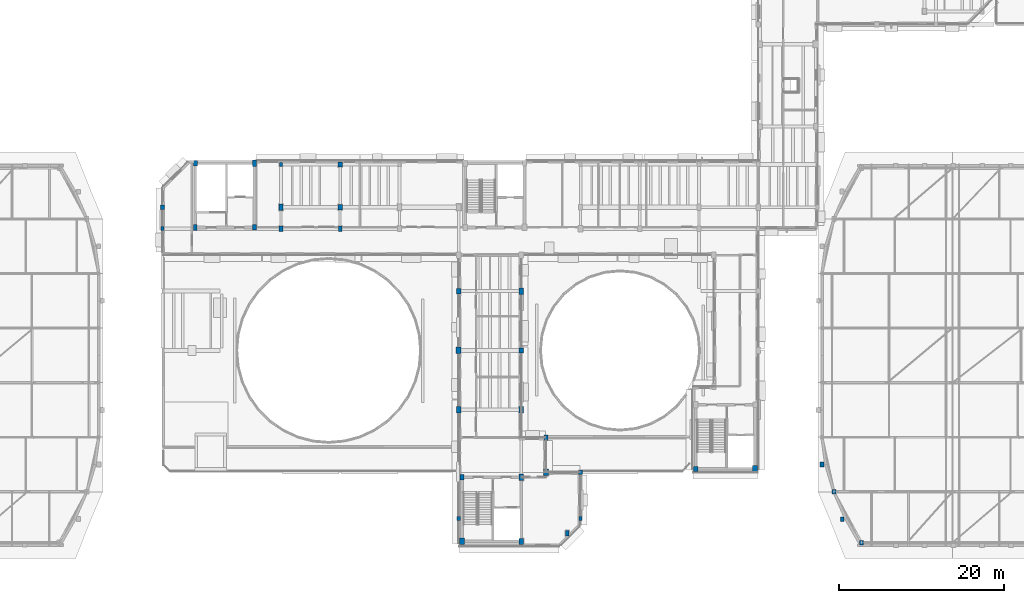
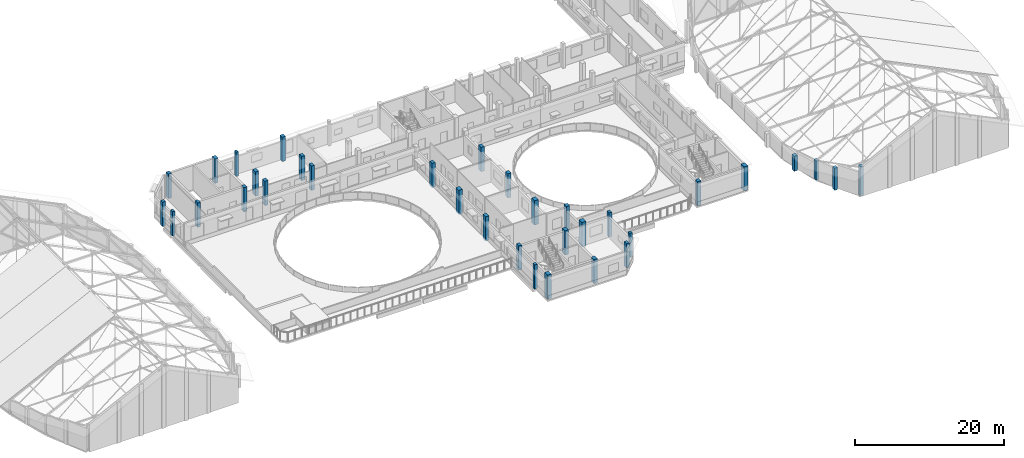
# One storey, part 6 of 78: 34 columns.
"""IFC4 building model written with IfcOpenShell, lengths in metres."""

from ifc_helpers import new_model, si_unit, direction, frame, origin, origin_2d, place, context, subcontext, project, spatial, rectangle, extrude, material, material_profile, profile_set, type_object, element, save


model = new_model("IFC4")

# Units and contexts
model_context = context("Model", 3, precision=1e-05, world=origin(), true_north=direction((0.0, 1.0)))
body_context = subcontext(model_context, "Body", "Model", "MODEL_VIEW")
ifc_project = project(units=[si_unit("LENGTHUNIT", "METRE"), si_unit("AREAUNIT", "SQUARE_METRE"), si_unit("VOLUMEUNIT", "CUBIC_METRE"), si_unit("PLANEANGLEUNIT", "RADIAN"), si_unit("MASSUNIT", "GRAM", prefix="KILO")], contexts=[model_context])

# Site, building, storey
site_placement = place(None, origin())
site = spatial("IfcSite", under=ifc_project, at=site_placement, CompositionType="ELEMENT")
building_placement = place(site_placement, origin())
building = spatial("IfcBuilding", under=site, at=building_placement, Name="Kelanivale Promenade Academy", CompositionType="ELEMENT")
storey_placement = place(building_placement, frame((0.0, 0.0, 16.199951171875)))
storey = spatial("IfcBuildingStorey", under=building, at=storey_placement, Name="L04", CompositionType="ELEMENT", Elevation=16.199951171875)

# Columns
ifc_material = material(Name="Concrete C40/50", Category="concrete")
ifc_material_profile_1 = material_profile(ifc_material, rectangle(XDim=0.449951171875, YDim=0.699951171875, at=origin_2d()), Name="RC-COL 450x700")
ifc_profile_set_1 = profile_set([ifc_material_profile_1], Name="Concrete C40/50")
column_type_1 = type_object("IfcColumnType", Name="C-10 RC-COL 450x700", PredefinedType="COLUMN", material=ifc_profile_set_1)
for number, where, z_axis, x_axis, name in (
    (1, (47.199951171875, 71.75, 0.0), (0.0, 0.0, 1.0), (1.0, 0.0, 0.0), "Column C-10 at (47.2, 71.8) L04"),
    (2, (64.800048828125, 71.60009765625, 0.0), (0.0, 0.0, 1.0), (1.0, 0.0, 0.0), "Column C-10 at (64.8, 71.6) L04"),
    (3, (92.39990234375, 34.60009765625, 0.0), (0.0, 0.0, 1.0), (1.0, 0.0, 0.0), "Column C-10 at (92.4, 34.6) L04"),
):
    element("IfcColumn", number, at=place(storey_placement, frame(where, z_axis=z_axis, x_axis=x_axis)), inside=storey, type_object=column_type_1, Name=name, PredefinedType="COLUMN", context=body_context, shape_type="SweptSolid", body=[
        extrude(rectangle(XDim=0.449951171875, YDim=0.699951171875, at=origin_2d()), origin(), (0.0, 0.0, 1.0), 4.0),
    ])
ifc_material_profile_2 = material_profile(ifc_material, rectangle(XDim=0.5, YDim=0.64990234375, at=origin_2d()), Name="RC-COL 500x650")
ifc_profile_set_2 = profile_set([ifc_material_profile_2], Name="Concrete C40/50")
column_type_2 = type_object("IfcColumnType", Name="C-11 RC-COL 500x650", PredefinedType="COLUMN", material=ifc_profile_set_2)
for number, where, z_axis, x_axis, name in (
    (4, (47.199951171875, 79.550048828125, 0.0), (0.0, 0.0, 1.0), (1.0, 0.0, 0.0), "Column C-11 at (47.2, 79.5) L04"),
    (5, (54.39990234375, 71.75, 0.0), (0.0, 0.0, 1.0), (1.0, 0.0, 0.0), "Column C-11 at (54.4, 71.8) L04"),
    (6, (57.60009765625, 71.60009765625, 0.0), (0.0, 0.0, 1.0), (1.0, 0.0, 0.0), "Column C-11 at (57.6, 71.6) L04"),
    (7, (64.800048828125, 74.199951171875, 0.0), (0.0, 0.0, 1.0), (1.0, 0.0, 0.0), "Column C-11 at (64.8, 74.2) L04"),
    (8, (79.199951171875, 64.0, 0.0), (0.0, 0.0, 1.0), (1.0, 0.0, 0.0), "Column C-11 at (79.2, 64.0) L04"),
    (9, (79.60009765625, 41.39990234375, 0.0), (0.0, 0.0, 1.0), (1.0, 0.0, 0.0), "Column C-11 at (79.6, 41.4) L04"),
    (10, (86.800048828125, 56.800048828125, 0.0), (0.0, 0.0, 1.0), (1.0, 0.0, 0.0), "Column C-11 at (86.8, 56.8) L04"),
    (11, (89.800048828125, 46.199951171875, 0.0), (0.0, 0.0, 1.0), (1.0, 0.0, 0.0), "Column C-11 at (89.8, 46.2) L04"),
    (12, (108.0, 42.39990234375, 0.0), (0.0, 0.0, 1.0), (1.0, 0.0, 0.0), "Column C-11 at (108.0, 42.4) L04"),
):
    element("IfcColumn", number, at=place(storey_placement, frame(where, z_axis=z_axis, x_axis=x_axis)), inside=storey, type_object=column_type_2, Name=name, PredefinedType="COLUMN", context=body_context, shape_type="SweptSolid", body=[
        extrude(rectangle(XDim=0.5, YDim=0.64990234375, at=origin_2d()), origin(), (0.0, 0.0, 1.0), 4.0),
    ])
ifc_material_profile_3 = material_profile(ifc_material, rectangle(XDim=0.5, YDim=0.75, at=origin_2d()), Name="RC-COL 500x750")
ifc_profile_set_3 = profile_set([ifc_material_profile_3], Name="Concrete C40/50")
column_type_3 = type_object("IfcColumnType", Name="C-12 RC-COL 500x750", PredefinedType="COLUMN", material=ifc_profile_set_3)
for number, where, z_axis, x_axis, name in (
    (13, (54.39990234375, 79.550048828125, 0.0), (0.0, 0.0, 1.0), (1.0, 0.0, 0.0), "Column C-12 at (54.4, 79.5) L04"),
    (14, (57.60009765625, 74.199951171875, 0.0), (0.0, 0.0, 1.0), (1.0, 0.0, 0.0), "Column C-12 at (57.6, 74.2) L04"),
    (15, (86.800048828125, 33.60009765625, 0.0), (0.0, 0.0, 1.0), (1.0, 0.0, 0.0), "Column C-12 at (86.8, 33.6) L04"),
    (16, (86.800048828125, 64.0, 0.0), (0.0, 0.0, 1.0), (1.0, 0.0, 0.0), "Column C-12 at (86.8, 64.0) L04"),
):
    element("IfcColumn", number, at=place(storey_placement, frame(where, z_axis=z_axis, x_axis=x_axis)), inside=storey, type_object=column_type_3, Name=name, PredefinedType="COLUMN", context=body_context, shape_type="SweptSolid", body=[
        extrude(rectangle(XDim=0.5, YDim=0.75, at=origin_2d()), origin(), (0.0, 0.0, 1.0), 4.0),
    ])
ifc_material_profile_4 = material_profile(ifc_material, rectangle(XDim=0.550048828125, YDim=0.75, at=origin_2d()), Name="RC-COL 550x750")
ifc_profile_set_4 = profile_set([ifc_material_profile_4], Name="Concrete C40/50")
column_type_4 = type_object("IfcColumnType", Name="C-13 RC-COL 550x750", PredefinedType="COLUMN", material=ifc_profile_set_4)
for number, where, z_axis, x_axis, name in (
    (17, (79.199951171875, 49.60009765625, 0.0), (0.0, 0.0, 1.0), (1.0, 0.0, 0.0), "Column C-13 at (79.2, 49.6) L04"),
    (18, (86.800048828125, 41.39990234375, 0.0), (0.0, 0.0, 1.0), (1.0, 0.0, 0.0), "Column C-13 at (86.8, 41.4) L04"),
):
    element("IfcColumn", number, at=place(storey_placement, frame(where, z_axis=z_axis, x_axis=x_axis)), inside=storey, type_object=column_type_4, Name=name, PredefinedType="COLUMN", context=body_context, shape_type="SweptSolid", body=[
        extrude(rectangle(XDim=0.550048828125, YDim=0.75, at=origin_2d()), origin(), (0.0, 0.0, 1.0), 4.0),
    ])
ifc_material_profile_5 = material_profile(ifc_material, rectangle(XDim=0.60009765625, YDim=0.800048828125, at=origin_2d()), Name="RC-COL 600x800")
ifc_profile_set_5 = profile_set([ifc_material_profile_5], Name="Concrete C40/50")
column_type_5 = type_object("IfcColumnType", Name="C-14 RC-COL 600x800", PredefinedType="COLUMN", material=ifc_profile_set_5)
for number, where, z_axis, x_axis, name in (
    (19, (79.199951171875, 56.800048828125, 0.0), (0.0, 0.0, 1.0), (1.0, 0.0, 0.0), "Column C-14 at (79.2, 56.8) L04"),
    (20, (79.60009765625, 33.60009765625, 0.0), (0.0, 0.0, 1.0), (1.0, 0.0, 0.0), "Column C-14 at (79.6, 33.6) L04"),
    (21, (86.800048828125, 49.60009765625, 0.0), (0.0, 0.0, 1.0), (1.0, 0.0, 0.0), "Column C-14 at (86.8, 49.6) L04"),
    (22, (89.800048828125, 42.0, 0.0), (0.0, 0.0, 1.0), (1.0, 0.0, 0.0), "Column C-14 at (89.8, 42.0) L04"),
    (23, (115.199951171875, 42.39990234375, 0.0), (0.0, 0.0, 1.0), (1.0, 0.0, 0.0), "Column C-14 at (115.2, 42.4) L04"),
):
    element("IfcColumn", number, at=place(storey_placement, frame(where, z_axis=z_axis, x_axis=x_axis)), inside=storey, type_object=column_type_5, Name=name, PredefinedType="COLUMN", context=body_context, shape_type="SweptSolid", body=[
        extrude(rectangle(XDim=0.60009765625, YDim=0.800048828125, at=origin_2d()), origin(), (0.0, 0.0, 1.0), 4.0),
    ])
ifc_material_profile_6 = material_profile(ifc_material, rectangle(XDim=0.35009765625, YDim=0.5, at=origin_2d()), Name="RC-PIL 350x500")
ifc_profile_set_6 = profile_set([ifc_material_profile_6], Name="Concrete C40/50")
column_type_6 = type_object("IfcColumnType", Name="PL-15 RC-PIL 350x500", PredefinedType="PILASTER", material=ifc_profile_set_6)
column_1_placement = place(storey_placement, frame((57.60009765625, 79.39990234375, 0.0), z_axis=(0.0, 0.0, 1.0), x_axis=(1.0, 0.0, 0.0)))
element("IfcColumn", 24, at=column_1_placement, inside=storey, type_object=column_type_6, Name="Column PL-15 at (57.6, 79.4) L04", PredefinedType="PILASTER", context=body_context, shape_type="SweptSolid", body=[
    extrude(rectangle(XDim=0.35009765625, YDim=0.5, at=origin_2d()), origin(), (0.0, 0.0, 1.0), 4.0),
])
ifc_material_profile_7 = material_profile(ifc_material, rectangle(XDim=0.39990234375, YDim=0.5, at=origin_2d()), Name="RC-PIL 400x500")
ifc_profile_set_7 = profile_set([ifc_material_profile_7], Name="Concrete C40/50")
column_type_7 = type_object("IfcColumnType", Name="PL-16 RC-PIL 400x500", PredefinedType="PILASTER", material=ifc_profile_set_7)
for number, where, z_axis, x_axis, name in (
    (25, (43.199951171875, 71.60009765625, 0.0), (0.0, 0.0, 1.0), (1.0, 0.0, 0.0), "Column PL-16 at (43.2, 71.6) L04"),
    (26, (79.199951171875, 36.39990234375, 0.0), (0.0, 0.0, 1.0), (1.0, 0.0, 0.0), "Column PL-16 at (79.2, 36.4) L04"),
    (27, (94.0, 36.39990234375, 0.0), (0.0, 0.0, 1.0), (1.0, 0.0, 0.0), "Column PL-16 at (94.0, 36.4) L04"),
):
    element("IfcColumn", number, at=place(storey_placement, frame(where, z_axis=z_axis, x_axis=x_axis)), inside=storey, type_object=column_type_7, Name=name, PredefinedType="PILASTER", context=body_context, shape_type="SweptSolid", body=[
        extrude(rectangle(XDim=0.39990234375, YDim=0.5, at=origin_2d()), origin(), (0.0, 0.0, 1.0), 4.0),
    ])
ifc_material_profile_8 = material_profile(ifc_material, rectangle(XDim=0.449951171875, YDim=0.550048828125, at=origin_2d()), Name="RC-PIL 450x550")
ifc_profile_set_8 = profile_set([ifc_material_profile_8], Name="Concrete C40/50")
column_type_8 = type_object("IfcColumnType", Name="PL-17 RC-PIL 450x550", PredefinedType="PILASTER", material=ifc_profile_set_8)
for number, where, z_axis, x_axis, name in (
    (28, (43.199951171875, 74.199951171875, 0.0), (0.0, 0.0, 1.0), (1.0, 0.0, 0.0), "Column PL-17 at (43.2, 74.2) L04"),
    (29, (94.0, 42.0, 0.0), (0.0, 0.0, 1.0), (1.0, 0.0, 0.0), "Column PL-17 at (94.0, 42.0) L04"),
):
    element("IfcColumn", number, at=place(storey_placement, frame(where, z_axis=z_axis, x_axis=x_axis)), inside=storey, type_object=column_type_8, Name=name, PredefinedType="PILASTER", context=body_context, shape_type="SweptSolid", body=[
        extrude(rectangle(XDim=0.449951171875, YDim=0.550048828125, at=origin_2d()), origin(), (0.0, 0.0, 1.0), 4.0),
    ])
column_2_placement = place(storey_placement, frame((124.800048828125, 39.62890625, 0.0), z_axis=(0.0, 0.0, 1.0), x_axis=(1.0, 0.0, 0.0)))
element("IfcColumn", 30, at=column_2_placement, inside=storey, type_object=column_type_8, Name="Column PL-17 at (124.8, 39.6) L04", PredefinedType="PILASTER", context=body_context, shape_type="SweptSolid", body=[
    extrude(rectangle(XDim=0.449951171875, YDim=0.550048828125, at=origin_2d()), origin(), (0.0, 0.0, 1.0), 3.1689453125),
])
column_3_placement = place(storey_placement, frame((125.7900390625, 36.31396484375, 0.0), z_axis=(0.0, 0.0, 1.0), x_axis=(1.0, 0.0, 0.0)))
element("IfcColumn", 31, at=column_3_placement, inside=storey, type_object=column_type_8, Name="Column PL-17 at (125.8, 36.3) L04", PredefinedType="PILASTER", context=body_context, shape_type="SweptSolid", body=[
    extrude(rectangle(XDim=0.449951171875, YDim=0.550048828125, at=origin_2d()), origin(), (0.0, 0.0, 1.0), 3.653076171875),
])
column_4_placement = place(storey_placement, frame((128.14990234375, 33.449951171875, 0.0), z_axis=(0.0, 0.0, 1.0), x_axis=(1.0, 0.0, 0.0)))
element("IfcColumn", 32, at=column_4_placement, inside=storey, type_object=column_type_8, Name="Column PL-17 at (128.2, 33.5) L04", PredefinedType="PILASTER", context=body_context, shape_type="SweptSolid", body=[
    extrude(rectangle(XDim=0.449951171875, YDim=0.550048828125, at=origin_2d()), origin(), (0.0, 0.0, 1.0), 4.804931640625),
])
ifc_material_profile_9 = material_profile(ifc_material, rectangle(XDim=0.5, YDim=0.60009765625, at=origin_2d()), Name="RC-PIL 500x600")
ifc_profile_set_9 = profile_set([ifc_material_profile_9], Name="Concrete C40/50")
column_type_9 = type_object("IfcColumnType", Name="PL-18 RC-PIL 500x600", PredefinedType="PILASTER", material=ifc_profile_set_9)
column_5_placement = place(storey_placement, frame((64.800048828125, 79.39990234375, 0.0), z_axis=(0.0, 0.0, 1.0), x_axis=(1.0, 0.0, 0.0)))
element("IfcColumn", 33, at=column_5_placement, inside=storey, type_object=column_type_9, Name="Column PL-18 at (64.8, 79.4) L04", PredefinedType="PILASTER", context=body_context, shape_type="SweptSolid", body=[
    extrude(rectangle(XDim=0.5, YDim=0.60009765625, at=origin_2d()), origin(), (0.0, 0.0, 1.0), 4.0),
])
column_6_placement = place(storey_placement, frame((123.340087890625, 42.943115234375, 0.0), z_axis=(0.0, 0.0, 1.0), x_axis=(1.0, 0.0, 0.0)))
element("IfcColumn", 34, at=column_6_placement, inside=storey, type_object=column_type_9, Name="Column PL-18 at (123.3, 42.9) L04", PredefinedType="PILASTER", context=body_context, shape_type="SweptSolid", body=[
    extrude(rectangle(XDim=0.5, YDim=0.60009765625, at=origin_2d()), origin(), (0.0, 0.0, 1.0), 2.4560546875),
])

save(model, "model.ifc")
